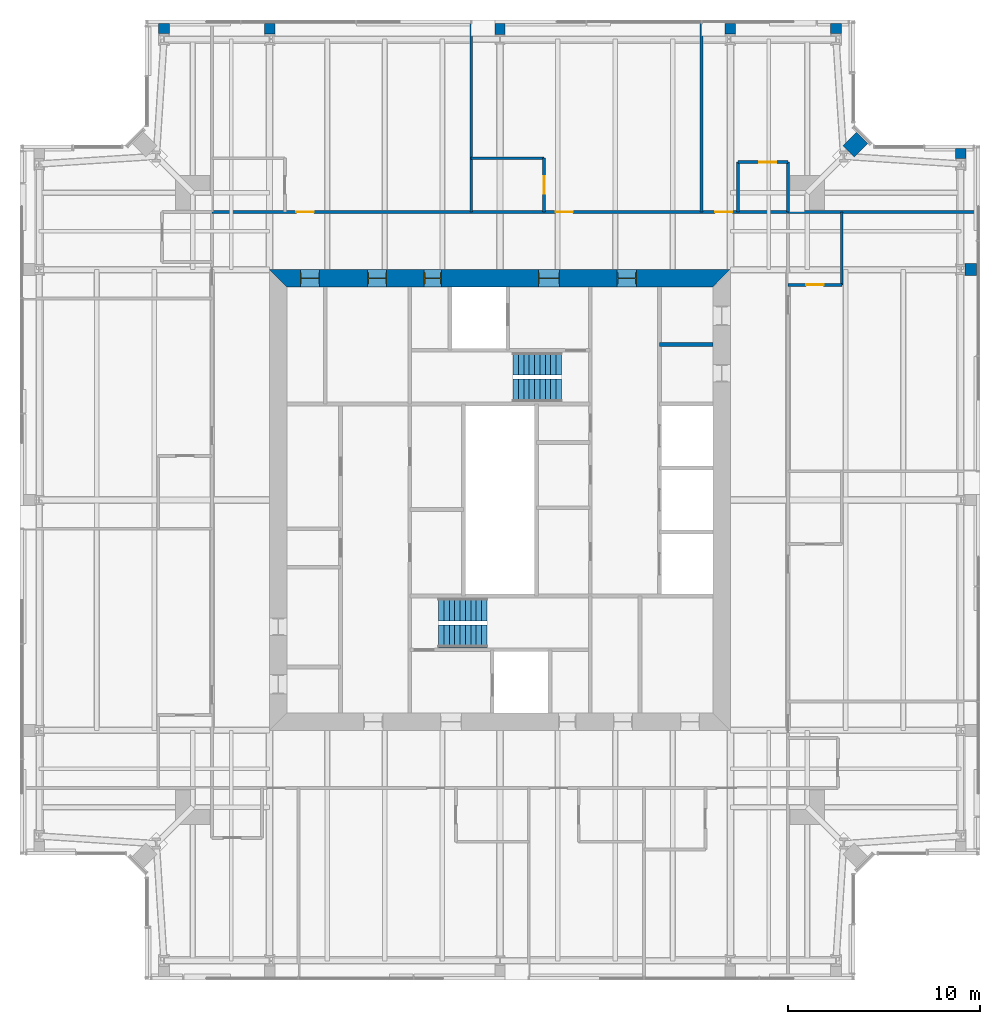
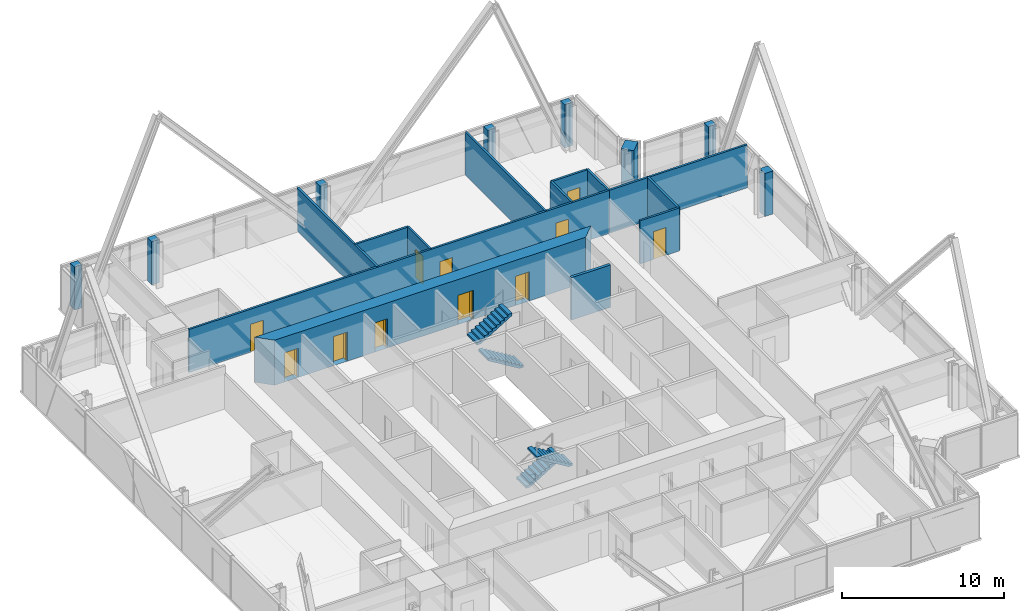
# One storey, part 14 of 19: 21 walls, 11 doors, 4 stair flights, 11 openings, 2 elements without a shape of their own.
"""IFC4 building model written with IfcOpenShell, lengths in metres."""

from ifc_helpers import new_model, si_unit, direction, frame, frame_2d, origin, place, context, subcontext, project, spatial, polyline, rectangle, outline, extrude, material, layer, layer_set, type_object, element, fill, aggregate, save


model = new_model("IFC4")

# Units and contexts
model_context = context("Model", 3, precision=1e-05, world=origin(), true_north=direction((0.0, 1.0)))
body_context = subcontext(model_context, "Body", "Model", "MODEL_VIEW")
ifc_project = project(units=[si_unit("LENGTHUNIT", "METRE"), si_unit("AREAUNIT", "SQUARE_METRE"), si_unit("VOLUMEUNIT", "CUBIC_METRE"), si_unit("PLANEANGLEUNIT", "RADIAN"), si_unit("MASSUNIT", "GRAM", prefix="KILO")], contexts=[model_context])

# Site, building, storey
site_placement = place(None, origin())
site = spatial("IfcSite", under=ifc_project, at=site_placement, CompositionType="ELEMENT")
building_placement = place(site_placement, origin())
building = spatial("IfcBuilding", under=site, at=building_placement, Name="Fenwick Lantern Interchange", CompositionType="ELEMENT")
storey_placement = place(building_placement, frame((0.0, 0.0, 283.199951171875)))
storey = spatial("IfcBuildingStorey", under=building, at=storey_placement, Name="L68", CompositionType="ELEMENT", Elevation=283.199951171875)

# Walls
ifc_material_1 = material(Name="Fire-rated gypsum board encasement on steel studs, 2 hour", Category="steel")
ifc_layer_1 = layer(ifc_material_1, 0.52392578125)
ifc_layer_set_1 = layer_set([ifc_layer_1], Name="COLUMN PIER 524")
wall_type_1 = type_object("IfcWallType", Name="COLUMN PIER 524", PredefinedType="PARTITIONING", material=ifc_layer_set_1)
wall_1_placement = place(storey_placement, frame((25.0, 49.81005859375, 0.0), z_axis=(0.0, 0.0, 1.0), x_axis=(0.0, -1.0, 0.0)))
element("IfcWall", 1, at=wall_1_placement, inside=storey, type_object=wall_type_1, Name="L68/W/PIER/CN3", PredefinedType="PARTITIONING", context=body_context, shape_type="SweptSolid", body=[
    extrude(rectangle(XDim=0.572509765625, YDim=0.52392578125, at=frame_2d((0.2861328125, 0.0))), origin(), (0.0, 0.0, 1.0), 3.25),
])
ifc_layer_2 = layer(ifc_material_1, 0.5419921875)
ifc_layer_set_2 = layer_set([ifc_layer_2], Name="COLUMN PIER 542")
wall_type_2 = type_object("IfcWallType", Name="COLUMN PIER 542", PredefinedType="PARTITIONING", material=ifc_layer_set_2)
for number, where, z_axis, x_axis, name in (
    (2, (37.0, 49.81005859375, 0.0), (0.0, 0.0, 1.0), (0.0, -1.0, 0.0), "L68/W/PIER/CN2"),
    (3, (13.0, 49.81005859375, 0.0), (0.0, 0.0, 1.0), (0.0, -1.0, 0.0), "L68/W/PIER/CN4"),
):
    element("IfcWall", number, at=place(storey_placement, frame(where, z_axis=z_axis, x_axis=x_axis)), inside=storey, type_object=wall_type_2, Name=name, PredefinedType="PARTITIONING", context=body_context, shape_type="SweptSolid", body=[
        extrude(rectangle(XDim=0.544677734375, YDim=0.5419921875, at=frame_2d((0.2724609375, 0.0))), origin(), (0.0, 0.0, 1.0), 3.25),
    ])
ifc_layer_3 = layer(ifc_material_1, 0.554931640625)
ifc_layer_set_3 = layer_set([ifc_layer_3], Name="COLUMN PIER 555")
wall_type_3 = type_object("IfcWallType", Name="COLUMN PIER 555", PredefinedType="PARTITIONING", material=ifc_layer_set_3)
for number, where, z_axis, x_axis, name in (
    (4, (49.0, 43.31005859375, 0.0), (0.0, 0.0, 1.0), (0.0, -1.0, 0.0), "L68/W/PIER/CE5"),
    (5, (42.5, 49.81005859375, 0.0), (0.0, 0.0, 1.0), (0.0, -1.0, 0.0), "L68/W/PIER/CN1"),
    (6, (7.5, 49.81005859375, 0.0), (0.0, 0.0, 1.0), (0.0, -1.0, 0.0), "L68/W/PIER/CN5"),
):
    element("IfcWall", number, at=place(storey_placement, frame(where, z_axis=z_axis, x_axis=x_axis)), inside=storey, type_object=wall_type_3, Name=name, PredefinedType="PARTITIONING", context=body_context, shape_type="SweptSolid", body=[
        extrude(rectangle(XDim=0.525634765625, YDim=0.554931640625, at=frame_2d((0.2626953125, 0.0))), origin(), (0.0, 0.0, 1.0), 3.25),
    ])
ifc_layer_4 = layer(ifc_material_1, 0.631103515625)
ifc_layer_set_4 = layer_set([ifc_layer_4], Name="COLUMN PIER 631")
wall_type_4 = type_object("IfcWallType", Name="COLUMN PIER 631", PredefinedType="PARTITIONING", material=ifc_layer_set_4)
wall_2_placement = place(storey_placement, frame((49.81005859375, 37.0, 0.0), z_axis=(0.0, 0.0, 1.0), x_axis=(-1.0, 0.0, 0.0)))
element("IfcWall", 7, at=wall_2_placement, inside=storey, type_object=wall_type_4, Name="L68/W/PIER/CE4", PredefinedType="PARTITIONING", context=body_context, shape_type="SweptSolid", body=[
    extrude(rectangle(XDim=0.589111328125, YDim=0.631103515625, at=frame_2d((0.29443359375, 0.0))), origin(), (0.0, 0.0, 1.0), 3.25),
])
ifc_layer_5 = layer(ifc_material_1, 0.823974609375)
ifc_layer_set_5 = layer_set([ifc_layer_5], Name="COLUMN PIER 824")
wall_type_5 = type_object("IfcWallType", Name="COLUMN PIER 824", PredefinedType="PARTITIONING", material=ifc_layer_set_5)
wall_3_placement = place(storey_placement, frame((43.86572265625, 43.86572265625, 0.0), z_axis=(0.0, 0.0, 1.0), x_axis=(-0.707106781187, -0.707106781187, 0.0)))
element("IfcWall", 8, at=wall_3_placement, inside=storey, type_object=wall_type_5, Name="L68/W/PIER/CER", PredefinedType="PARTITIONING", context=body_context, shape_type="SweptSolid", body=[
    extrude(rectangle(XDim=1.003662109375, YDim=0.823974609375, at=frame_2d((0.501953125, 0.0))), origin(), (0.0, 0.0, 1.0), 3.25),
])
ifc_material_2 = material(Name="Concrete masonry ASTM C90 Grade N", Category="masonry")
ifc_layer_6 = layer(ifc_material_2, 0.199951171875)
ifc_layer_set_6 = layer_set([ifc_layer_6], Name="Concrete masonry ASTM C90 Grade N")
wall_type_6 = type_object("IfcWallType", Name="CORE PARTITION 200", PredefinedType="PARTITIONING", material=ifc_layer_set_6)
wall_4_placement = place(storey_placement, frame((36.10009765625, 33.10009765625, 0.0), z_axis=(0.0, 0.0, 1.0), x_axis=(-1.0, 0.0, 0.0)))
element("IfcWall", 9, at=wall_4_placement, inside=storey, type_object=wall_type_6, Name="L68/W/COREN/p1", PredefinedType="PARTITIONING", context=body_context, shape_type="SweptSolid", body=[
    extrude(rectangle(XDim=2.800048828125, YDim=0.199951171875, at=frame_2d((1.39990234375, 0.0))), origin(), (0.0, 0.0, 1.0), 3.199951171875),
])

# Wall, openings, doors
ifc_material_3 = material(Name="Concrete f'c 70 MPa", Category="concrete")
ifc_layer_7 = layer(ifc_material_3, 0.89990234375)
ifc_layer_set_7 = layer_set([ifc_layer_7], Name="CORE WALL 900")
wall_type_7 = type_object("IfcWallType", Name="CORE WALL 900", PredefinedType="SHEAR", material=ifc_layer_set_7)
wall_5_placement = place(storey_placement, frame((37.0, 36.550048828125, 0.0), z_axis=(0.0, 0.0, 1.0), x_axis=(-1.0, 0.0, 0.0)))
wall_5 = element("IfcWall", 10, at=wall_5_placement, inside=storey, type_object=wall_type_7, Name="L68/CORE/N", PredefinedType="SHEAR", context=body_context, shape_type="SweptSolid", body=[
    extrude(outline(polyline([(0.0, -0.449951171875), (24.0, -0.449951171875), (23.10009765625, 0.449951171875), (0.89990234375, 0.449951171875), (0.0, -0.449951171875)])), origin(), (0.0, 0.0, 1.0), 3.400146484375),
])
opening_1_placement = place(wall_5_placement, frame((4.89990234375, 0.0, 0.0)))
opening_1 = element("IfcOpeningElement", 11, at=opening_1_placement, cuts=wall_5, Name="Opening L68-D013", PredefinedType="OPENING", context=body_context, shape_type="SweptSolid", body=[
    extrude(rectangle(XDim=1.0, YDim=2.199951171875, at=frame_2d((0.5, 1.10009765625))), frame((0.0, 0.4599609375, 0.0), z_axis=(0.0, -1.0, 0.0), x_axis=(1.0, 0.0, 0.0)), (0.0, 0.0, 1.0), 0.919921875),
])
opening_2_placement = place(wall_5_placement, frame((8.89990234375, 0.0, 0.0)))
opening_2 = element("IfcOpeningElement", 12, at=opening_2_placement, cuts=wall_5, Name="Opening L68-D014", PredefinedType="OPENING", context=body_context, shape_type="SweptSolid", body=[
    extrude(rectangle(XDim=1.10009765625, YDim=2.199951171875, at=frame_2d((0.550048828125, 1.10009765625))), frame((0.0, 0.4599609375, 0.0), z_axis=(0.0, -1.0, 0.0), x_axis=(1.0, 0.0, 0.0)), (0.0, 0.0, 1.0), 0.919921875),
])
opening_3_placement = place(wall_5_placement, frame((15.050048828125, 0.0, 0.0)))
opening_3 = element("IfcOpeningElement", 13, at=opening_3_placement, cuts=wall_5, Name="Opening L68-D016", PredefinedType="OPENING", context=body_context, shape_type="SweptSolid", body=[
    extrude(rectangle(XDim=0.89990234375, YDim=2.199951171875, at=frame_2d((0.449951171875, 1.10009765625))), frame((0.0, 0.4599609375, 0.0), z_axis=(0.0, -1.0, 0.0), x_axis=(1.0, 0.0, 0.0)), (0.0, 0.0, 1.0), 0.919921875),
])
opening_4_placement = place(wall_5_placement, frame((17.89990234375, 0.0, 0.0)))
opening_4 = element("IfcOpeningElement", 14, at=opening_4_placement, cuts=wall_5, Name="Opening L68-D017", PredefinedType="OPENING", context=body_context, shape_type="SweptSolid", body=[
    extrude(rectangle(XDim=1.0, YDim=2.199951171875, at=frame_2d((0.5, 1.10009765625))), frame((0.0, 0.4599609375, 0.0), z_axis=(0.0, -1.0, 0.0), x_axis=(1.0, 0.0, 0.0)), (0.0, 0.0, 1.0), 0.919921875),
])
opening_5_placement = place(wall_5_placement, frame((21.39990234375, 0.0, 0.0)))
opening_5 = element("IfcOpeningElement", 15, at=opening_5_placement, cuts=wall_5, Name="Opening L68-D018", PredefinedType="OPENING", context=body_context, shape_type="SweptSolid", body=[
    extrude(rectangle(XDim=1.0, YDim=2.199951171875, at=frame_2d((0.5, 1.10009765625))), frame((0.0, 0.4599609375, 0.0), z_axis=(0.0, -1.0, 0.0), x_axis=(1.0, 0.0, 0.0)), (0.0, 0.0, 1.0), 0.919921875),
])
ifc_material_4 = material(Name="Steel door and frame", Category="steel")
door_type_1 = type_object("IfcDoorType", Name="CORE LOBBY DOOR 1000 X 2200", OperationType="SINGLE_SWING_LEFT", PredefinedType="DOOR", material=ifc_material_4)
door_1_placement = place(opening_1_placement, origin())
door_1 = element("IfcDoor", 16, at=door_1_placement, inside=storey, type_object=door_type_1, Name="Core lobby door", OperationType="SINGLE_SWING_LEFT", OverallHeight=2.199951171875, OverallWidth=1.0, PredefinedType="DOOR", context=body_context, shape_type="SweptSolid", body=[
    extrude(rectangle(XDim=1.0, YDim=2.199951171875, at=frame_2d((0.5, 1.10009765625))), frame((0.0, 0.02490234375, 0.0), z_axis=(0.0, -1.0, 0.0), x_axis=(1.0, 0.0, 0.0)), (0.0, 0.0, 1.0), 0.050048828125),
    extrude(outline(polyline([(0.0, 0.0), (0.0400390625, 0.0), (0.0400390625, 2.159912109375), (0.9599609375, 2.159912109375), (0.9599609375, 0.0), (1.0, 0.0), (1.0, 2.199951171875), (0.0, 2.199951171875), (0.0, 0.0)])), frame((0.0, 0.300048828125, 0.0), z_axis=(0.0, -1.0, 0.0), x_axis=(1.0, 0.0, 0.0)), (0.0, 0.0, 1.0), 0.60009765625),
])
fill(opening_1, door_1)
door_type_2 = type_object("IfcDoorType", Name="FIRE LOBBY DOOR 1100 X 2200", OperationType="SINGLE_SWING_LEFT", PredefinedType="DOOR", material=ifc_material_4)
door_2_placement = place(opening_2_placement, origin())
door_2 = element("IfcDoor", 17, at=door_2_placement, inside=storey, type_object=door_type_2, Name="Fire lobby door", OperationType="SINGLE_SWING_LEFT", OverallHeight=2.199951171875, OverallWidth=1.10009765625, PredefinedType="DOOR", context=body_context, shape_type="SweptSolid", body=[
    extrude(rectangle(XDim=1.10009765625, YDim=2.199951171875, at=frame_2d((0.550048828125, 1.10009765625))), frame((0.0, 0.02490234375, 0.0), z_axis=(0.0, -1.0, 0.0), x_axis=(1.0, 0.0, 0.0)), (0.0, 0.0, 1.0), 0.050048828125),
    extrude(outline(polyline([(0.0, 0.0), (0.0400390625, 0.0), (0.0400390625, 2.159912109375), (1.06005859375, 2.159912109375), (1.06005859375, 0.0), (1.10009765625, 0.0), (1.10009765625, 2.199951171875), (0.0, 2.199951171875), (0.0, 0.0)])), frame((0.0, 0.300048828125, 0.0), z_axis=(0.0, -1.0, 0.0), x_axis=(1.0, 0.0, 0.0)), (0.0, 0.0, 1.0), 0.60009765625),
])
fill(opening_2, door_2)
door_type_3 = type_object("IfcDoorType", Name="SERVICE DOOR 900 X 2200", OperationType="SINGLE_SWING_LEFT", PredefinedType="DOOR", material=ifc_material_4)
door_3_placement = place(opening_3_placement, origin())
door_3 = element("IfcDoor", 18, at=door_3_placement, inside=storey, type_object=door_type_3, Name="Service door", OperationType="SINGLE_SWING_LEFT", OverallHeight=2.199951171875, OverallWidth=0.89990234375, PredefinedType="DOOR", context=body_context, shape_type="SweptSolid", body=[
    extrude(rectangle(XDim=0.89990234375, YDim=2.199951171875, at=frame_2d((0.449951171875, 1.10009765625))), frame((0.0, 0.02490234375, 0.0), z_axis=(0.0, -1.0, 0.0), x_axis=(1.0, 0.0, 0.0)), (0.0, 0.0, 1.0), 0.050048828125),
    extrude(outline(polyline([(0.0, 0.0), (0.0400390625, 0.0), (0.0400390625, 2.159912109375), (0.85986328125, 2.159912109375), (0.85986328125, 0.0), (0.89990234375, 0.0), (0.89990234375, 2.199951171875), (0.0, 2.199951171875), (0.0, 0.0)])), frame((0.0, 0.300048828125, 0.0), z_axis=(0.0, -1.0, 0.0), x_axis=(1.0, 0.0, 0.0)), (0.0, 0.0, 1.0), 0.60009765625),
])
fill(opening_3, door_3)
ifc_material_5 = material(Name="Hardwood door and steel frame", Category="steel")
door_type_4 = type_object("IfcDoorType", Name="WC DOOR 1000 X 2200", OperationType="SINGLE_SWING_LEFT", PredefinedType="DOOR", material=ifc_material_5)
door_4_placement = place(opening_4_placement, origin())
door_4 = element("IfcDoor", 19, at=door_4_placement, inside=storey, type_object=door_type_4, Name="Wc door", OperationType="SINGLE_SWING_LEFT", OverallHeight=2.199951171875, OverallWidth=1.0, PredefinedType="DOOR", context=body_context, shape_type="SweptSolid", body=[
    extrude(rectangle(XDim=1.0, YDim=2.199951171875, at=frame_2d((0.5, 1.10009765625))), frame((0.0, 0.02490234375, 0.0), z_axis=(0.0, -1.0, 0.0), x_axis=(1.0, 0.0, 0.0)), (0.0, 0.0, 1.0), 0.050048828125),
    extrude(outline(polyline([(0.0, 0.0), (0.0400390625, 0.0), (0.0400390625, 2.159912109375), (0.9599609375, 2.159912109375), (0.9599609375, 0.0), (1.0, 0.0), (1.0, 2.199951171875), (0.0, 2.199951171875), (0.0, 0.0)])), frame((0.0, 0.300048828125, 0.0), z_axis=(0.0, -1.0, 0.0), x_axis=(1.0, 0.0, 0.0)), (0.0, 0.0, 1.0), 0.60009765625),
])
fill(opening_4, door_4)
door_5_placement = place(opening_5_placement, origin())
door_5 = element("IfcDoor", 20, at=door_5_placement, inside=storey, type_object=door_type_4, Name="Wc door", OperationType="SINGLE_SWING_LEFT", OverallHeight=2.199951171875, OverallWidth=1.0, PredefinedType="DOOR", context=body_context, shape_type="SweptSolid", body=[
    extrude(rectangle(XDim=1.0, YDim=2.199951171875, at=frame_2d((0.5, 1.10009765625))), frame((0.0, 0.02490234375, 0.0), z_axis=(0.0, -1.0, 0.0), x_axis=(1.0, 0.0, 0.0)), (0.0, 0.0, 1.0), 0.050048828125),
    extrude(outline(polyline([(0.0, 0.0), (0.0400390625, 0.0), (0.0400390625, 2.159912109375), (0.9599609375, 2.159912109375), (0.9599609375, 0.0), (1.0, 0.0), (1.0, 2.199951171875), (0.0, 2.199951171875), (0.0, 0.0)])), frame((0.0, 0.300048828125, 0.0), z_axis=(0.0, -1.0, 0.0), x_axis=(1.0, 0.0, 0.0)), (0.0, 0.0, 1.0), 0.60009765625),
])
fill(opening_5, door_5)

ifc_material_6 = material(Name="Gypsum board on steel studs, 1 hour", Category="steel")
ifc_layer_8 = layer(ifc_material_6, 0.14990234375)
ifc_layer_set_8 = layer_set([ifc_layer_8], Name="CORRIDOR WALL 150")
wall_type_8 = type_object("IfcWallType", Name="CORRIDOR WALL 150", PredefinedType="PARTITIONING", material=ifc_layer_set_8)
wall_6_placement = place(storey_placement, frame((40.0, 40.0, 0.0), z_axis=(0.0, 0.0, 1.0), x_axis=(-1.0, 0.0, 0.0)))
wall_6 = element("IfcWall", 21, at=wall_6_placement, inside=storey, type_object=wall_type_8, Name="L68/W/HOTEL/N/CW", PredefinedType="PARTITIONING", context=body_context, shape_type="SweptSolid", body=[
    extrude(rectangle(XDim=30.0, YDim=0.14990234375, at=frame_2d((15.0, 0.0))), origin(), (0.0, 0.0, 1.0), 3.25),
])
opening_6_placement = place(wall_6_placement, frame((2.89990234375, 0.0, 0.0)))
opening_6 = element("IfcOpeningElement", 22, at=opening_6_placement, cuts=wall_6, Name="Opening L68-D038", PredefinedType="OPENING", context=body_context, shape_type="SweptSolid", body=[
    extrude(rectangle(XDim=0.89990234375, YDim=2.10009765625, at=frame_2d((0.449951171875, 1.050048828125))), frame((0.0, 0.0849609375, 0.0), z_axis=(0.0, -1.0, 0.0), x_axis=(1.0, 0.0, 0.0)), (0.0, 0.0, 1.0), 0.169921875),
])
opening_7_placement = place(wall_6_placement, frame((11.199951171875, 0.0, 0.0)))
opening_7 = element("IfcOpeningElement", 23, at=opening_7_placement, cuts=wall_6, Name="Opening L68-D041", PredefinedType="OPENING", context=body_context, shape_type="SweptSolid", body=[
    extrude(rectangle(XDim=0.89990234375, YDim=2.10009765625, at=frame_2d((0.449951171875, 1.050048828125))), frame((0.0, 0.0849609375, 0.0), z_axis=(0.0, -1.0, 0.0), x_axis=(1.0, 0.0, 0.0)), (0.0, 0.0, 1.0), 0.169921875),
])
opening_8_placement = place(wall_6_placement, frame((24.699951171875, 0.0, 0.0)))
opening_8 = element("IfcOpeningElement", 24, at=opening_8_placement, cuts=wall_6, Name="Opening L68-D043", PredefinedType="OPENING", context=body_context, shape_type="SweptSolid", body=[
    extrude(rectangle(XDim=0.89990234375, YDim=2.10009765625, at=frame_2d((0.449951171875, 1.050048828125))), frame((0.0, 0.0849609375, 0.0), z_axis=(0.0, -1.0, 0.0), x_axis=(1.0, 0.0, 0.0)), (0.0, 0.0, 1.0), 0.169921875),
])
door_type_5 = type_object("IfcDoorType", Name="GUEST ROOM DOOR 900 X 2100", OperationType="SINGLE_SWING_LEFT", PredefinedType="DOOR", material=ifc_material_4)
door_6_placement = place(opening_6_placement, frame((0.89990234375, 0.0, 0.0), z_axis=(0.0, 0.0, 1.0), x_axis=(-1.0, 0.0, 0.0)))
door_6 = element("IfcDoor", 25, at=door_6_placement, inside=storey, type_object=door_type_5, Name="Guest room door", OperationType="SINGLE_SWING_RIGHT", OverallHeight=2.10009765625, OverallWidth=0.89990234375, PredefinedType="DOOR", context=body_context, shape_type="SweptSolid", body=[
    extrude(rectangle(XDim=0.89990234375, YDim=2.10009765625, at=frame_2d((0.449951171875, 1.050048828125))), frame((0.0, 0.02490234375, 0.0), z_axis=(0.0, -1.0, 0.0), x_axis=(1.0, 0.0, 0.0)), (0.0, 0.0, 1.0), 0.050048828125),
])
fill(opening_6, door_6)
door_7_placement = place(opening_7_placement, frame((0.89990234375, 0.0, 0.0), z_axis=(0.0, 0.0, 1.0), x_axis=(-1.0, 0.0, 0.0)))
door_7 = element("IfcDoor", 26, at=door_7_placement, inside=storey, type_object=door_type_5, Name="Guest room door", OperationType="SINGLE_SWING_LEFT", OverallHeight=2.10009765625, OverallWidth=0.89990234375, PredefinedType="DOOR", context=body_context, shape_type="SweptSolid", body=[
    extrude(rectangle(XDim=0.89990234375, YDim=2.10009765625, at=frame_2d((0.449951171875, 1.050048828125))), frame((0.0, 0.02490234375, 0.0), z_axis=(0.0, -1.0, 0.0), x_axis=(1.0, 0.0, 0.0)), (0.0, 0.0, 1.0), 0.050048828125),
])
fill(opening_7, door_7)
door_8_placement = place(opening_8_placement, frame((0.89990234375, 0.0, 0.0), z_axis=(0.0, 0.0, 1.0), x_axis=(-1.0, 0.0, 0.0)))
door_8 = element("IfcDoor", 27, at=door_8_placement, inside=storey, type_object=door_type_5, Name="Guest room door", OperationType="SINGLE_SWING_LEFT", OverallHeight=2.10009765625, OverallWidth=0.89990234375, PredefinedType="DOOR", context=body_context, shape_type="SweptSolid", body=[
    extrude(rectangle(XDim=0.89990234375, YDim=2.10009765625, at=frame_2d((0.449951171875, 1.050048828125))), frame((0.0, 0.02490234375, 0.0), z_axis=(0.0, -1.0, 0.0), x_axis=(1.0, 0.0, 0.0)), (0.0, 0.0, 1.0), 0.050048828125),
])
fill(opening_8, door_8)

# Wall
ifc_material_7 = material(Name="Gypsum board on steel studs, moisture resistant", Category="steel")
ifc_layer_9 = layer(ifc_material_7, 0.14990234375)
ifc_layer_set_9 = layer_set([ifc_layer_9], Name="EN-SUITE WALL 150")
wall_type_9 = type_object("IfcWallType", Name="EN-SUITE WALL 150", PredefinedType="PARTITIONING", material=ifc_layer_set_9)
wall_7_placement = place(storey_placement, frame((42.800048828125, 36.199951171875, 0.0), z_axis=(0.0, 0.0, 1.0), x_axis=(0.0, 1.0, 0.0)))
element("IfcWall", 28, at=wall_7_placement, inside=storey, type_object=wall_type_9, Name="L68/W/HOTEL/E/U3BW", PredefinedType="PARTITIONING", context=body_context, shape_type="SweptSolid", body=[
    extrude(rectangle(XDim=3.800048828125, YDim=0.14990234375, at=frame_2d((1.89990234375, 0.0))), origin(), (0.0, 0.0, 1.0), 3.25),
])

# Wall, opening, door
wall_8_placement = place(storey_placement, frame((42.800048828125, 36.199951171875, 0.0), z_axis=(0.0, 0.0, 1.0), x_axis=(-1.0, 0.0, 0.0)))
wall_8 = element("IfcWall", 29, at=wall_8_placement, inside=storey, type_object=wall_type_9, Name="L68/W/HOTEL/E/U3BX", PredefinedType="PARTITIONING", context=body_context, shape_type="SweptSolid", body=[
    extrude(rectangle(XDim=2.800048828125, YDim=0.14990234375, at=frame_2d((1.39990234375, 0.0))), origin(), (0.0, 0.0, 1.0), 3.25),
])
opening_9_placement = place(wall_8_placement, frame((0.949951171875, 0.0, 0.0)))
opening_9 = element("IfcOpeningElement", 30, at=opening_9_placement, cuts=wall_8, Name="Opening L68-D036", PredefinedType="OPENING", context=body_context, shape_type="SweptSolid", body=[
    extrude(rectangle(XDim=0.89990234375, YDim=2.10009765625, at=frame_2d((0.449951171875, 1.050048828125))), frame((0.0, 0.0849609375, 0.0), z_axis=(0.0, -1.0, 0.0), x_axis=(1.0, 0.0, 0.0)), (0.0, 0.0, 1.0), 0.169921875),
])
door_type_6 = type_object("IfcDoorType", Name="EN-SUITE DOOR 900 X 2100", OperationType="SINGLE_SWING_LEFT", PredefinedType="DOOR", material=ifc_material_5)
door_9_placement = place(opening_9_placement, frame((0.89990234375, 0.0, 0.0), z_axis=(0.0, 0.0, 1.0), x_axis=(-1.0, 0.0, 0.0)))
door_9 = element("IfcDoor", 31, at=door_9_placement, inside=storey, type_object=door_type_6, Name="En-suite door", OperationType="SINGLE_SWING_RIGHT", OverallHeight=2.10009765625, OverallWidth=0.89990234375, PredefinedType="DOOR", context=body_context, shape_type="SweptSolid", body=[
    extrude(rectangle(XDim=0.89990234375, YDim=2.10009765625, at=frame_2d((0.449951171875, 1.050048828125))), frame((0.0, 0.02490234375, 0.0), z_axis=(0.0, -1.0, 0.0), x_axis=(1.0, 0.0, 0.0)), (0.0, 0.0, 1.0), 0.050048828125),
])
fill(opening_9, door_9)

wall_9_placement = place(storey_placement, frame((40.0, 42.60009765625, 0.0), z_axis=(0.0, 0.0, 1.0), x_axis=(-1.0, 0.0, 0.0)))
wall_9 = element("IfcWall", 32, at=wall_9_placement, inside=storey, type_object=wall_type_9, Name="L68/W/HOTEL/N/U1BW", PredefinedType="PARTITIONING", context=body_context, shape_type="SweptSolid", body=[
    extrude(rectangle(XDim=2.60009765625, YDim=0.14990234375, at=frame_2d((1.300048828125, 0.0))), origin(), (0.0, 0.0, 1.0), 3.25),
])
opening_10_placement = place(wall_9_placement, frame((0.60009765625, 0.0, 0.0)))
opening_10 = element("IfcOpeningElement", 33, at=opening_10_placement, cuts=wall_9, Name="Opening L68-D039", PredefinedType="OPENING", context=body_context, shape_type="SweptSolid", body=[
    extrude(rectangle(XDim=0.89990234375, YDim=2.10009765625, at=frame_2d((0.449951171875, 1.050048828125))), frame((0.0, 0.0849609375, 0.0), z_axis=(0.0, -1.0, 0.0), x_axis=(1.0, 0.0, 0.0)), (0.0, 0.0, 1.0), 0.169921875),
])
door_10_placement = place(opening_10_placement, origin())
door_10 = element("IfcDoor", 34, at=door_10_placement, inside=storey, type_object=door_type_6, Name="En-suite door", OperationType="SINGLE_SWING_LEFT", OverallHeight=2.10009765625, OverallWidth=0.89990234375, PredefinedType="DOOR", context=body_context, shape_type="SweptSolid", body=[
    extrude(rectangle(XDim=0.89990234375, YDim=2.10009765625, at=frame_2d((0.449951171875, 1.050048828125))), frame((0.0, 0.02490234375, 0.0), z_axis=(0.0, -1.0, 0.0), x_axis=(1.0, 0.0, 0.0)), (0.0, 0.0, 1.0), 0.050048828125),
])
fill(opening_10, door_10)

# Walls
for number, where, z_axis, x_axis, name in (
    (35, (40.0, 42.60009765625, 0.0), (0.0, 0.0, 1.0), (0.0, -1.0, 0.0), "L68/W/HOTEL/N/U1BX"),
    (36, (37.39990234375, 42.60009765625, 0.0), (0.0, 0.0, 1.0), (0.0, -1.0, 0.0), "L68/W/HOTEL/N/U1BE"),
):
    element("IfcWall", number, at=place(storey_placement, frame(where, z_axis=z_axis, x_axis=x_axis)), inside=storey, type_object=wall_type_9, Name=name, PredefinedType="PARTITIONING", context=body_context, shape_type="SweptSolid", body=[
        extrude(rectangle(XDim=2.60009765625, YDim=0.14990234375, at=frame_2d((1.300048828125, 0.0))), origin(), (0.0, 0.0, 1.0), 3.25),
    ])
wall_10_placement = place(storey_placement, frame((27.300048828125, 42.800048828125, 0.0), z_axis=(0.0, 0.0, 1.0), x_axis=(-1.0, 0.0, 0.0)))
element("IfcWall", 37, at=wall_10_placement, inside=storey, type_object=wall_type_9, Name="L68/W/HOTEL/N/U2BW", PredefinedType="PARTITIONING", context=body_context, shape_type="SweptSolid", body=[
    extrude(rectangle(XDim=3.800048828125, YDim=0.14990234375, at=frame_2d((1.89990234375, 0.0))), origin(), (0.0, 0.0, 1.0), 3.25),
])

# Wall, opening, door
wall_11_placement = place(storey_placement, frame((27.300048828125, 42.800048828125, 0.0), z_axis=(0.0, 0.0, 1.0), x_axis=(0.0, -1.0, 0.0)))
wall_11 = element("IfcWall", 38, at=wall_11_placement, inside=storey, type_object=wall_type_9, Name="L68/W/HOTEL/N/U2BX", PredefinedType="PARTITIONING", context=body_context, shape_type="SweptSolid", body=[
    extrude(rectangle(XDim=2.800048828125, YDim=0.14990234375, at=frame_2d((1.39990234375, 0.0))), origin(), (0.0, 0.0, 1.0), 3.25),
])
opening_11_placement = place(wall_11_placement, frame((0.949951171875, 0.0, 0.0)))
opening_11 = element("IfcOpeningElement", 39, at=opening_11_placement, cuts=wall_11, Name="Opening L68-D040", PredefinedType="OPENING", context=body_context, shape_type="SweptSolid", body=[
    extrude(rectangle(XDim=0.89990234375, YDim=2.10009765625, at=frame_2d((0.449951171875, 1.050048828125))), frame((0.0, 0.0849609375, 0.0), z_axis=(0.0, -1.0, 0.0), x_axis=(1.0, 0.0, 0.0)), (0.0, 0.0, 1.0), 0.169921875),
])
door_11_placement = place(opening_11_placement, frame((0.89990234375, 0.0, 0.0), z_axis=(0.0, 0.0, 1.0), x_axis=(-1.0, 0.0, 0.0)))
door_11 = element("IfcDoor", 40, at=door_11_placement, inside=storey, type_object=door_type_6, Name="En-suite door", OperationType="SINGLE_SWING_RIGHT", OverallHeight=2.10009765625, OverallWidth=0.89990234375, PredefinedType="DOOR", context=body_context, shape_type="SweptSolid", body=[
    extrude(rectangle(XDim=0.89990234375, YDim=2.10009765625, at=frame_2d((0.449951171875, 1.050048828125))), frame((0.0, 0.02490234375, 0.0), z_axis=(0.0, -1.0, 0.0), x_axis=(1.0, 0.0, 0.0)), (0.0, 0.0, 1.0), 0.050048828125),
])
fill(opening_11, door_11)

# Walls
ifc_material_8 = material(Name="Gypsum board on steel studs, 1 hour acoustic", Category="steel")
ifc_layer_10 = layer(ifc_material_8, 0.14990234375)
ifc_layer_set_10 = layer_set([ifc_layer_10], Name="PARTY WALL 150")
wall_type_10 = type_object("IfcWallType", Name="PARTY WALL 150", PredefinedType="PARTITIONING", material=ifc_layer_set_10)
for number, where, z_axis, x_axis, name in (
    (41, (49.85009765625, 40.0, 0.0), (0.0, 0.0, 1.0), (-1.0, 0.0, 0.0), "L68/W/HOTEL/N/SW3"),
    (42, (35.5, 49.85009765625, 0.0), (0.0, 0.0, 1.0), (0.0, -1.0, 0.0), "L68/W/HOTEL/N/U2PW"),
    (43, (23.5, 49.85009765625, 0.0), (0.0, 0.0, 1.0), (0.0, -1.0, 0.0), "L68/W/HOTEL/N/U3PW"),
):
    element("IfcWall", number, at=place(storey_placement, frame(where, z_axis=z_axis, x_axis=x_axis)), inside=storey, type_object=wall_type_10, Name=name, PredefinedType="PARTITIONING", context=body_context, shape_type="SweptSolid", body=[
        extrude(rectangle(XDim=9.85009765625, YDim=0.14990234375, at=frame_2d((4.925048828125, 0.0))), origin(), (0.0, 0.0, 1.0), 3.25),
    ])

# Stair, stair flights
ifc_material_9 = material(Name="Precast concrete f'c 35 MPa", Category="concrete")
stair_type = type_object("IfcStairType", Name="EXIT STAIR 1200", PredefinedType="HALF_TURN_STAIR", material=ifc_material_9)
stair_1_placement = place(storey_placement, origin())
stair_1 = element("IfcStair", 44, at=stair_1_placement, inside=storey, type_object=stair_type, Name="Exit stair ST1", PredefinedType="HALF_TURN_STAIR")
stair_flight_type = type_object("IfcStairFlightType", Name="STAIR FLIGHT 1200", PredefinedType="STRAIGHT", material=ifc_material_9)
stair_flight_1_placement = place(storey_placement, frame((21.800048828125, 19.300048828125, 0.0), z_axis=(0.0, 0.0, 1.0), x_axis=(1.0, 0.0, 0.0)))
stair_flight_1 = element("IfcStairFlight", 45, at=stair_flight_1_placement, type_object=stair_flight_type, Name="ST1 flight 1", NumberOfRisers=10, NumberOfTreads=9, PredefinedType="STRAIGHT", RiserHeight=0.17, TreadLength=0.28, context=body_context, shape_type="SweptSolid", body=[
    extrude(outline(polyline([(0.0, 0.0), (0.0, 0.169921875), (0.280029296875, 0.169921875), (0.280029296875, 0.340087890625), (0.56005859375, 0.340087890625), (0.56005859375, 0.510009765625), (0.840087890625, 0.510009765625), (0.840087890625, 0.679931640625), (1.1201171875, 0.679931640625), (1.1201171875, 0.85009765625), (1.39990234375, 0.85009765625), (1.39990234375, 1.02001953125), (1.679931640625, 1.02001953125), (1.679931640625, 1.18994140625), (1.9599609375, 1.18994140625), (1.9599609375, 1.360107421875), (2.239990234375, 1.360107421875), (2.239990234375, 1.530029296875), (2.52001953125, 1.530029296875), (2.52001953125, 1.699951171875), (2.52001953125, 1.354736328125), (0.288818359375, 0.0), (0.0, 0.0)])), frame((0.0, 0.60009765625, 0.0), z_axis=(0.0, -1.0, 0.0), x_axis=(1.0, 0.0, 0.0)), (0.0, 0.0, 1.0), 1.199951171875),
])
stair_flight_2_placement = place(storey_placement, frame((24.320068359375, 17.89990234375, 1.699951171875), z_axis=(0.0, 0.0, 1.0), x_axis=(-1.0, 0.0, 0.0)))
stair_flight_2 = element("IfcStairFlight", 46, at=stair_flight_2_placement, type_object=stair_flight_type, Name="ST1 flight 2", NumberOfRisers=10, NumberOfTreads=9, PredefinedType="STRAIGHT", RiserHeight=0.17, TreadLength=0.28, context=body_context, shape_type="SweptSolid", body=[
    extrude(outline(polyline([(0.0, 0.0), (0.0, 0.169921875), (0.280029296875, 0.169921875), (0.280029296875, 0.340087890625), (0.56005859375, 0.340087890625), (0.56005859375, 0.510009765625), (0.840087890625, 0.510009765625), (0.840087890625, 0.679931640625), (1.1201171875, 0.679931640625), (1.1201171875, 0.85009765625), (1.39990234375, 0.85009765625), (1.39990234375, 1.02001953125), (1.679931640625, 1.02001953125), (1.679931640625, 1.18994140625), (1.9599609375, 1.18994140625), (1.9599609375, 1.360107421875), (2.239990234375, 1.360107421875), (2.239990234375, 1.530029296875), (2.52001953125, 1.530029296875), (2.52001953125, 1.699951171875), (2.52001953125, 1.354736328125), (0.288818359375, 0.0), (0.0, 0.0)])), frame((0.0, 0.60009765625, 0.0), z_axis=(0.0, -1.0, 0.0), x_axis=(1.0, 0.0, 0.0)), (0.0, 0.0, 1.0), 1.199951171875),
])
aggregate(stair_1, [stair_flight_1, stair_flight_2])

stair_2_placement = place(storey_placement, origin())
stair_2 = element("IfcStair", 47, at=stair_2_placement, inside=storey, type_object=stair_type, Name="Exit stair ST2", PredefinedType="HALF_TURN_STAIR")
stair_flight_3_placement = place(storey_placement, frame((28.199951171875, 30.699951171875, 0.0), z_axis=(0.0, 0.0, 1.0), x_axis=(-1.0, 0.0, 0.0)))
stair_flight_3 = element("IfcStairFlight", 48, at=stair_flight_3_placement, type_object=stair_flight_type, Name="ST2 flight 1", NumberOfRisers=10, NumberOfTreads=9, PredefinedType="STRAIGHT", RiserHeight=0.17, TreadLength=0.28, context=body_context, shape_type="SweptSolid", body=[
    extrude(outline(polyline([(0.0, 0.0), (0.0, 0.169921875), (0.280029296875, 0.169921875), (0.280029296875, 0.340087890625), (0.56005859375, 0.340087890625), (0.56005859375, 0.510009765625), (0.840087890625, 0.510009765625), (0.840087890625, 0.679931640625), (1.1201171875, 0.679931640625), (1.1201171875, 0.85009765625), (1.39990234375, 0.85009765625), (1.39990234375, 1.02001953125), (1.679931640625, 1.02001953125), (1.679931640625, 1.18994140625), (1.9599609375, 1.18994140625), (1.9599609375, 1.360107421875), (2.239990234375, 1.360107421875), (2.239990234375, 1.530029296875), (2.52001953125, 1.530029296875), (2.52001953125, 1.699951171875), (2.52001953125, 1.354736328125), (0.288818359375, 0.0), (0.0, 0.0)])), frame((0.0, 0.60009765625, 0.0), z_axis=(0.0, -1.0, 0.0), x_axis=(1.0, 0.0, 0.0)), (0.0, 0.0, 1.0), 1.199951171875),
])
stair_flight_4_placement = place(storey_placement, frame((25.679931640625, 32.10009765625, 1.699951171875), z_axis=(0.0, 0.0, 1.0), x_axis=(1.0, 0.0, 0.0)))
stair_flight_4 = element("IfcStairFlight", 49, at=stair_flight_4_placement, type_object=stair_flight_type, Name="ST2 flight 2", NumberOfRisers=10, NumberOfTreads=9, PredefinedType="STRAIGHT", RiserHeight=0.17, TreadLength=0.28, context=body_context, shape_type="SweptSolid", body=[
    extrude(outline(polyline([(0.0, 0.0), (0.0, 0.169921875), (0.280029296875, 0.169921875), (0.280029296875, 0.340087890625), (0.56005859375, 0.340087890625), (0.56005859375, 0.510009765625), (0.840087890625, 0.510009765625), (0.840087890625, 0.679931640625), (1.1201171875, 0.679931640625), (1.1201171875, 0.85009765625), (1.39990234375, 0.85009765625), (1.39990234375, 1.02001953125), (1.679931640625, 1.02001953125), (1.679931640625, 1.18994140625), (1.9599609375, 1.18994140625), (1.9599609375, 1.360107421875), (2.239990234375, 1.360107421875), (2.239990234375, 1.530029296875), (2.52001953125, 1.530029296875), (2.52001953125, 1.699951171875), (2.52001953125, 1.354736328125), (0.288818359375, 0.0), (0.0, 0.0)])), frame((0.0, 0.60009765625, 0.0), z_axis=(0.0, -1.0, 0.0), x_axis=(1.0, 0.0, 0.0)), (0.0, 0.0, 1.0), 1.199951171875),
])
aggregate(stair_2, [stair_flight_3, stair_flight_4])

save(model, "model.ifc")
